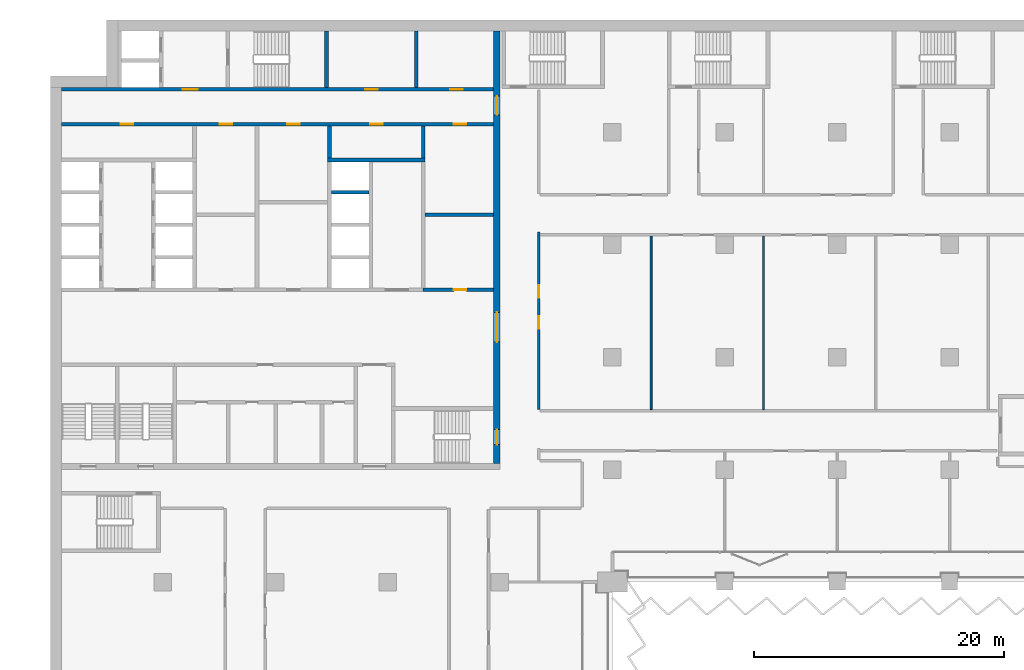
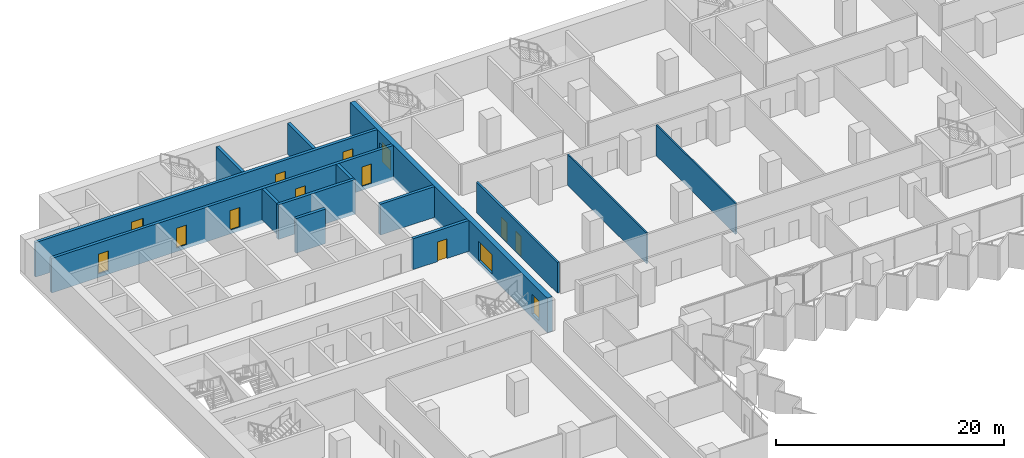
# One storey, part 15 of 28: 14 doors, 14 walls, 14 openings.
"""IFC4 building model written with IfcOpenShell, lengths in metres."""

from ifc_helpers import new_model, si_unit, direction, frame, frame_2d, origin, place, context, subcontext, project, spatial, rectangle, extrude, material, layer, layer_set, type_object, element, fill, save


model = new_model("IFC4")

# Units and contexts
model_context = context("Model", 3, precision=1e-05, world=origin(), true_north=direction((0.0, 1.0)))
body_context = subcontext(model_context, "Body", "Model", "MODEL_VIEW")
ifc_project = project(units=[si_unit("LENGTHUNIT", "METRE"), si_unit("AREAUNIT", "SQUARE_METRE"), si_unit("VOLUMEUNIT", "CUBIC_METRE"), si_unit("PLANEANGLEUNIT", "RADIAN"), si_unit("MASSUNIT", "GRAM", prefix="KILO")], contexts=[model_context])

# Site, building, storey
site_placement = place(None, origin())
site = spatial("IfcSite", under=ifc_project, at=site_placement, CompositionType="ELEMENT")
building_placement = place(site_placement, origin())
building = spatial("IfcBuilding", under=site, at=building_placement, Name="Hunhe Ridgeline Campus", CompositionType="ELEMENT")
storey_placement = place(building_placement, frame((0.0, 0.0, 35.800048828125)))
storey = spatial("IfcBuildingStorey", under=building, at=storey_placement, Name="L07", CompositionType="ELEMENT", Elevation=35.800048828125)

# Wall, opening, door
ifc_material_1 = material(Name="Masonry concrete blockwork", Category="masonry")
ifc_layer_1 = layer(ifc_material_1, 0.300048828125)
ifc_layer_set_1 = layer_set([ifc_layer_1], Name="Core room partition 300 concrete block")
wall_type_1 = type_object("IfcWallType", Name="Core room partition 300 concrete block", PredefinedType="PARTITIONING", material=ifc_layer_set_1)
wall_1_placement = place(storey_placement, frame((29.85009765625, 77.39990234375, 0.0), z_axis=(0.0, 0.0, 1.0), x_axis=(1.0, 0.0, 0.0)))
wall_1 = element("IfcWall", 1, at=wall_1_placement, inside=storey, type_object=wall_type_1, Name="L07 core partition 15", PredefinedType="PARTITIONING", context=body_context, shape_type="SweptSolid", body=[
    extrude(rectangle(XDim=5.64990234375, YDim=0.300048828125, at=frame_2d((2.824951171875, 0.0))), origin(), (0.0, 0.0, 1.0), 3.300048828125),
])
opening_1_placement = place(wall_1_placement, frame((2.449951171875, 0.0, 0.0)))
opening_1 = element("IfcOpeningElement", 2, at=opening_1_placement, cuts=wall_1, Name="Opening CD32", PredefinedType="OPENING", context=body_context, shape_type="SweptSolid", body=[
    extrude(rectangle(XDim=1.0, YDim=2.10009765625, at=frame_2d((0.5, 1.050048828125))), frame((0.0, 0.14990234375, 0.0), z_axis=(0.0, -1.0, 0.0), x_axis=(1.0, 0.0, 0.0)), (0.0, 0.0, 1.0), 0.300048828125),
])
ifc_material_2 = material(Name="Solid core timber door leaf", Category="wood")
door_type_1 = type_object("IfcDoorType", Name="Timber door 1000x2100", OperationType="SINGLE_SWING_LEFT", PredefinedType="DOOR", material=ifc_material_2)
door_1_placement = place(opening_1_placement, origin())
door_1 = element("IfcDoor", 3, at=door_1_placement, inside=storey, type_object=door_type_1, Name="L07 door ES0", OperationType="SINGLE_SWING_RIGHT", OverallHeight=2.10009765625, OverallWidth=1.0, PredefinedType="DOOR", context=body_context, shape_type="SweptSolid", body=[
    extrude(rectangle(XDim=1.0, YDim=2.10009765625, at=frame_2d((0.5, 1.050048828125))), frame((0.0, 0.02490234375, 0.0), z_axis=(0.0, -1.0, 0.0), x_axis=(1.0, 0.0, 0.0)), (0.0, 0.0, 1.0), 0.050048828125),
])
fill(opening_1, door_1)

# Walls
wall_2_placement = place(storey_placement, frame((30.0, 83.39990234375, 0.0), z_axis=(0.0, 0.0, 1.0), x_axis=(1.0, 0.0, 0.0)))
element("IfcWall", 4, at=wall_2_placement, inside=storey, type_object=wall_type_1, Name="L07 core partition 23", PredefinedType="PARTITIONING", context=body_context, shape_type="SweptSolid", body=[
    extrude(rectangle(XDim=5.5, YDim=0.300048828125, at=frame_2d((2.75, 0.0))), origin(), (0.0, 0.0, 1.0), 3.300048828125),
])
wall_3_placement = place(storey_placement, frame((22.35009765625, 87.949951171875, 0.0), z_axis=(0.0, 0.0, 1.0), x_axis=(0.0, 1.0, 0.0)))
element("IfcWall", 5, at=wall_3_placement, inside=storey, type_object=wall_type_1, Name="L07 core partition 55", PredefinedType="PARTITIONING", context=body_context, shape_type="SweptSolid", body=[
    extrude(rectangle(XDim=2.550048828125, YDim=0.300048828125, at=frame_2d((1.27490234375, 0.0))), origin(), (0.0, 0.0, 1.0), 3.300048828125),
])
wall_4_placement = place(storey_placement, frame((29.300048828125, 93.60009765625, 0.0), z_axis=(0.0, 0.0, 1.0), x_axis=(0.0, 1.0, 0.0)))
element("IfcWall", 6, at=wall_4_placement, inside=storey, type_object=wall_type_1, Name="L07 core partition 61", PredefinedType="PARTITIONING", context=body_context, shape_type="SweptSolid", body=[
    extrude(rectangle(XDim=4.5, YDim=0.300048828125, at=frame_2d((2.25, 0.0))), origin(), (0.0, 0.0, 1.0), 3.300048828125),
])
wall_5_placement = place(storey_placement, frame((29.85009765625, 87.949951171875, 0.0), z_axis=(0.0, 0.0, 1.0), x_axis=(0.0, 1.0, 0.0)))
element("IfcWall", 7, at=wall_5_placement, inside=storey, type_object=wall_type_1, Name="L07 core partition 63", PredefinedType="PARTITIONING", context=body_context, shape_type="SweptSolid", body=[
    extrude(rectangle(XDim=2.550048828125, YDim=0.300048828125, at=frame_2d((1.27490234375, 0.0))), origin(), (0.0, 0.0, 1.0), 3.300048828125),
])

# Wall, openings, doors
ifc_material_3 = material(Name="Concrete C80", Category="concrete")
ifc_layer_2 = layer(ifc_material_3, 0.5)
ifc_layer_set_2 = layer_set([ifc_layer_2], Name="Core wall 500 reinforced concrete C80")
wall_type_2 = type_object("IfcWallType", Name="Core wall 500 reinforced concrete C80", PredefinedType="SOLIDWALL", material=ifc_layer_set_2)
wall_6_placement = place(storey_placement, frame((35.75, 63.5, -0.400146484375), z_axis=(0.0, 0.0, 1.0), x_axis=(0.0, 1.0, 0.0)))
wall_6 = element("IfcWall", 8, at=wall_6_placement, inside=storey, type_object=wall_type_2, Name="L07 core wall 64", PredefinedType="SOLIDWALL", context=body_context, shape_type="SweptSolid", body=[
    extrude(rectangle(XDim=34.60009765625, YDim=0.5, at=frame_2d((17.300048828125, 0.0))), origin(), (0.0, 0.0, 1.0), 3.7001953125),
])
opening_2_placement = place(wall_6_placement, frame((9.699951171875, 0.0, 0.39990234375)))
opening_2 = element("IfcOpeningElement", 9, at=opening_2_placement, cuts=wall_6, Name="Opening CD4", PredefinedType="OPENING", context=body_context, shape_type="SweptSolid", body=[
    extrude(rectangle(XDim=2.39990234375, YDim=2.10009765625, at=frame_2d((1.199951171875, 1.050048828125))), frame((0.0, 0.25, 0.0), z_axis=(0.0, -1.0, 0.0), x_axis=(1.0, 0.0, 0.0)), (0.0, 0.0, 1.0), 0.5),
])
opening_3_placement = place(wall_6_placement, frame((27.89990234375, 0.0, 0.39990234375)))
opening_3 = element("IfcOpeningElement", 10, at=opening_3_placement, cuts=wall_6, Name="Opening CD5", PredefinedType="OPENING", context=body_context, shape_type="SweptSolid", body=[
    extrude(rectangle(XDim=1.5, YDim=2.10009765625, at=frame_2d((0.75, 1.050048828125))), frame((0.0, 0.25, 0.0), z_axis=(0.0, -1.0, 0.0), x_axis=(1.0, 0.0, 0.0)), (0.0, 0.0, 1.0), 0.5),
])
opening_4_placement = place(wall_6_placement, frame((1.5, 0.0, 0.39990234375)))
opening_4 = element("IfcOpeningElement", 11, at=opening_4_placement, cuts=wall_6, Name="Opening CD15", PredefinedType="OPENING", context=body_context, shape_type="SweptSolid", body=[
    extrude(rectangle(XDim=1.199951171875, YDim=2.10009765625, at=frame_2d((0.60009765625, 1.050048828125))), frame((0.0, 0.25, 0.0), z_axis=(0.0, -1.0, 0.0), x_axis=(1.0, 0.0, 0.0)), (0.0, 0.0, 1.0), 0.5),
])
ifc_material_4 = material(Name="Anodised aluminium and glass", Category="aluminium")
door_type_2 = type_object("IfcDoorType", Name="Glazed double door 2400x2100", OperationType="DOUBLE_DOOR_SINGLE_SWING", PredefinedType="DOOR", material=ifc_material_4)
door_2_placement = place(opening_2_placement, frame((2.39990234375, 0.0, 0.0), z_axis=(0.0, 0.0, 1.0), x_axis=(-1.0, 0.0, 0.0)))
door_2 = element("IfcDoor", 12, at=door_2_placement, inside=storey, type_object=door_type_2, Name="L07 door HALL-FLOOR", OperationType="DOUBLE_DOOR_SINGLE_SWING", OverallHeight=2.10009765625, OverallWidth=2.39990234375, PredefinedType="DOOR", context=body_context, shape_type="SweptSolid", body=[
    extrude(rectangle(XDim=2.39990234375, YDim=2.10009765625, at=frame_2d((1.199951171875, 1.050048828125))), frame((0.0, 0.02490234375, 0.0), z_axis=(0.0, -1.0, 0.0), x_axis=(1.0, 0.0, 0.0)), (0.0, 0.0, 1.0), 0.050048828125),
])
fill(opening_2, door_2)
ifc_material_5 = material(Name="Hollow metal fire door leaf")
door_type_3 = type_object("IfcDoorType", Name="Stair door 1200x2100 FD60", OperationType="SINGLE_SWING_LEFT", PredefinedType="DOOR", material=ifc_material_5)
door_3_placement = place(opening_4_placement, frame((1.199951171875, 0.0, 0.0), z_axis=(0.0, 0.0, 1.0), x_axis=(-1.0, 0.0, 0.0)))
door_3 = element("IfcDoor", 13, at=door_3_placement, inside=storey, type_object=door_type_3, Name="L07 door S2-FLOOR", OperationType="SINGLE_SWING_RIGHT", OverallHeight=2.10009765625, OverallWidth=1.199951171875, PredefinedType="DOOR", context=body_context, shape_type="SweptSolid", body=[
    extrude(rectangle(XDim=1.199951171875, YDim=2.10009765625, at=frame_2d((0.60009765625, 1.050048828125))), frame((0.0, 0.02490234375, 0.0), z_axis=(0.0, -1.0, 0.0), x_axis=(1.0, 0.0, 0.0)), (0.0, 0.0, 1.0), 0.050048828125),
])
fill(opening_4, door_3)
door_type_4 = type_object("IfcDoorType", Name="Timber door 1500x2100", OperationType="SINGLE_SWING_LEFT", PredefinedType="DOOR", material=ifc_material_2)
door_4_placement = place(opening_3_placement, frame((1.5, 0.0, 0.0), z_axis=(0.0, 0.0, 1.0), x_axis=(-1.0, 0.0, 0.0)))
door_4 = element("IfcDoor", 14, at=door_4_placement, inside=storey, type_object=door_type_4, Name="L07 door C1-FLOOR", OperationType="SINGLE_SWING_RIGHT", OverallHeight=2.10009765625, OverallWidth=1.5, PredefinedType="DOOR", context=body_context, shape_type="SweptSolid", body=[
    extrude(rectangle(XDim=1.5, YDim=2.10009765625, at=frame_2d((0.75, 1.050048828125))), frame((0.0, 0.02490234375, 0.0), z_axis=(0.0, -1.0, 0.0), x_axis=(1.0, 0.0, 0.0)), (0.0, 0.0, 1.0), 0.050048828125),
])
fill(opening_3, door_4)

ifc_material_6 = material(Name="Gypsum board partition")
ifc_layer_3 = layer(ifc_material_6, 0.199951171875)
ifc_layer_set_3 = layer_set([ifc_layer_3], Name="Corridor partition 200 gypsum board on steel studs")
wall_type_3 = type_object("IfcWallType", Name="Corridor partition 200 gypsum board on steel studs", PredefinedType="PARTITIONING", material=ifc_layer_set_3)
wall_7_placement = place(storey_placement, frame((39.10009765625, 82.012451171875, 0.0), z_axis=(0.0, 0.0, 1.0), x_axis=(0.0, -1.0, 0.0)))
wall_7 = element("IfcWall", 15, at=wall_7_placement, inside=storey, type_object=wall_type_3, Name="F-L07-wall-055", PredefinedType="PARTITIONING", context=body_context, shape_type="SweptSolid", body=[
    extrude(rectangle(XDim=14.21240234375, YDim=0.199951171875, at=frame_2d((7.106201171875, 0.0))), origin(), (0.0, 0.0, 1.0), 3.300048828125),
])
opening_5_placement = place(wall_7_placement, frame((6.733154296875, 0.0, 0.0)))
opening_5 = element("IfcOpeningElement", 16, at=opening_5_placement, cuts=wall_7, Name="Opening RD1-032", PredefinedType="OPENING", context=body_context, shape_type="SweptSolid", body=[
    extrude(rectangle(XDim=1.0, YDim=2.10009765625, at=frame_2d((0.5, 1.050048828125))), frame((0.0, 0.10009765625, 0.0), z_axis=(0.0, -1.0, 0.0), x_axis=(1.0, 0.0, 0.0)), (0.0, 0.0, 1.0), 0.199951171875),
])
opening_6_placement = place(wall_7_placement, frame((4.233154296875, 0.0, 0.0)))
opening_6 = element("IfcOpeningElement", 17, at=opening_6_placement, cuts=wall_7, Name="Opening RD1-035", PredefinedType="OPENING", context=body_context, shape_type="SweptSolid", body=[
    extrude(rectangle(XDim=1.0, YDim=2.10009765625, at=frame_2d((0.5, 1.050048828125))), frame((0.0, 0.10009765625, 0.0), z_axis=(0.0, -1.0, 0.0), x_axis=(1.0, 0.0, 0.0)), (0.0, 0.0, 1.0), 0.199951171875),
])
ifc_material_7 = material(Name="Timber door leaf", Category="wood")
door_type_5 = type_object("IfcDoorType", Name="Single fire door 1000x2100 timber FD60", OperationType="NOTDEFINED", PredefinedType="DOOR", material=ifc_material_7)
door_5_placement = place(opening_5_placement, frame((1.0, 0.0, 0.0), z_axis=(0.0, 0.0, 1.0), x_axis=(-1.0, 0.0, 0.0)))
door_5 = element("IfcDoor", 18, at=door_5_placement, inside=storey, type_object=door_type_5, Name="F-L07-door-032", OperationType="SINGLE_SWING_LEFT", OverallHeight=2.10009765625, OverallWidth=1.0, PredefinedType="DOOR", context=body_context, shape_type="SweptSolid", body=[
    extrude(rectangle(XDim=1.0, YDim=2.10009765625, at=frame_2d((0.5, 1.050048828125))), frame((0.0, 0.02490234375, 0.0), z_axis=(0.0, -1.0, 0.0), x_axis=(1.0, 0.0, 0.0)), (0.0, 0.0, 1.0), 0.050048828125),
])
fill(opening_5, door_5)
door_6_placement = place(opening_6_placement, frame((1.0, 0.0, 0.0), z_axis=(0.0, 0.0, 1.0), x_axis=(-1.0, 0.0, 0.0)))
door_6 = element("IfcDoor", 19, at=door_6_placement, inside=storey, type_object=door_type_5, Name="F-L07-door-035", OperationType="SINGLE_SWING_RIGHT", OverallHeight=2.10009765625, OverallWidth=1.0, PredefinedType="DOOR", context=body_context, shape_type="SweptSolid", body=[
    extrude(rectangle(XDim=1.0, YDim=2.10009765625, at=frame_2d((0.5, 1.050048828125))), frame((0.0, 0.02490234375, 0.0), z_axis=(0.0, -1.0, 0.0), x_axis=(1.0, 0.0, 0.0)), (0.0, 0.0, 1.0), 0.050048828125),
])
fill(opening_6, door_6)

ifc_layer_4 = layer(ifc_material_3, 0.300048828125)
ifc_layer_set_4 = layer_set([ifc_layer_4], Name="Lobby wall 300 reinforced concrete C80")
wall_type_4 = type_object("IfcWallType", Name="Lobby wall 300 reinforced concrete C80", PredefinedType="SOLIDWALL", material=ifc_layer_set_4)
wall_8_placement = place(storey_placement, frame((0.89990234375, 90.64990234375, -0.400146484375), z_axis=(0.0, 0.0, 1.0), x_axis=(1.0, 0.0, 0.0)))
wall_8 = element("IfcWall", 20, at=wall_8_placement, inside=storey, type_object=wall_type_4, Name="L07 core wall 30", PredefinedType="SOLIDWALL", context=body_context, shape_type="SweptSolid", body=[
    extrude(rectangle(XDim=34.60009765625, YDim=0.300048828125, at=frame_2d((17.300048828125, 0.0))), origin(), (0.0, 0.0, 1.0), 3.7001953125),
])
opening_7_placement = place(wall_8_placement, frame((4.75, 0.0, 0.39990234375)))
opening_7 = element("IfcOpeningElement", 21, at=opening_7_placement, cuts=wall_8, Name="Opening CD26", PredefinedType="OPENING", context=body_context, shape_type="SweptSolid", body=[
    extrude(rectangle(XDim=1.0, YDim=2.10009765625, at=frame_2d((0.5, 1.050048828125))), frame((0.0, 0.14990234375, 0.0), z_axis=(0.0, -1.0, 0.0), x_axis=(1.0, 0.0, 0.0)), (0.0, 0.0, 1.0), 0.300048828125),
])
opening_8_placement = place(wall_8_placement, frame((24.699951171875, 0.0, 0.39990234375)))
opening_8 = element("IfcOpeningElement", 22, at=opening_8_placement, cuts=wall_8, Name="Opening CD27", PredefinedType="OPENING", context=body_context, shape_type="SweptSolid", body=[
    extrude(rectangle(XDim=1.0, YDim=2.10009765625, at=frame_2d((0.5, 1.050048828125))), frame((0.0, 0.14990234375, 0.0), z_axis=(0.0, -1.0, 0.0), x_axis=(1.0, 0.0, 0.0)), (0.0, 0.0, 1.0), 0.300048828125),
])
opening_9_placement = place(wall_8_placement, frame((12.64990234375, 0.0, 0.39990234375)))
opening_9 = element("IfcOpeningElement", 23, at=opening_9_placement, cuts=wall_8, Name="Opening CD29", PredefinedType="OPENING", context=body_context, shape_type="SweptSolid", body=[
    extrude(rectangle(XDim=1.0, YDim=2.10009765625, at=frame_2d((0.5, 1.050048828125))), frame((0.0, 0.14990234375, 0.0), z_axis=(0.0, -1.0, 0.0), x_axis=(1.0, 0.0, 0.0)), (0.0, 0.0, 1.0), 0.300048828125),
])
opening_10_placement = place(wall_8_placement, frame((18.050048828125, 0.0, 0.39990234375)))
opening_10 = element("IfcOpeningElement", 24, at=opening_10_placement, cuts=wall_8, Name="Opening CD31", PredefinedType="OPENING", context=body_context, shape_type="SweptSolid", body=[
    extrude(rectangle(XDim=1.0, YDim=2.10009765625, at=frame_2d((0.5, 1.050048828125))), frame((0.0, 0.14990234375, 0.0), z_axis=(0.0, -1.0, 0.0), x_axis=(1.0, 0.0, 0.0)), (0.0, 0.0, 1.0), 0.300048828125),
])
opening_11_placement = place(wall_8_placement, frame((31.39990234375, 0.0, 0.39990234375)))
opening_11 = element("IfcOpeningElement", 25, at=opening_11_placement, cuts=wall_8, Name="Opening CD33", PredefinedType="OPENING", context=body_context, shape_type="SweptSolid", body=[
    extrude(rectangle(XDim=1.0, YDim=2.10009765625, at=frame_2d((0.5, 1.050048828125))), frame((0.0, 0.14990234375, 0.0), z_axis=(0.0, -1.0, 0.0), x_axis=(1.0, 0.0, 0.0)), (0.0, 0.0, 1.0), 0.300048828125),
])
door_7_placement = place(opening_7_placement, frame((1.0, 0.0, 0.0), z_axis=(0.0, 0.0, 1.0), x_axis=(-1.0, 0.0, 0.0)))
door_7 = element("IfcDoor", 26, at=door_7_placement, inside=storey, type_object=door_type_1, Name="L07 door NR-0", OperationType="SINGLE_SWING_RIGHT", OverallHeight=2.10009765625, OverallWidth=1.0, PredefinedType="DOOR", context=body_context, shape_type="SweptSolid", body=[
    extrude(rectangle(XDim=1.0, YDim=2.10009765625, at=frame_2d((0.5, 1.050048828125))), frame((0.0, 0.02490234375, 0.0), z_axis=(0.0, -1.0, 0.0), x_axis=(1.0, 0.0, 0.0)), (0.0, 0.0, 1.0), 0.050048828125),
])
fill(opening_7, door_7)
door_8_placement = place(opening_8_placement, frame((1.0, 0.0, 0.0), z_axis=(0.0, 0.0, 1.0), x_axis=(-1.0, 0.0, 0.0)))
door_8 = element("IfcDoor", 27, at=door_8_placement, inside=storey, type_object=door_type_1, Name="L07 door NR-1", OperationType="SINGLE_SWING_LEFT", OverallHeight=2.10009765625, OverallWidth=1.0, PredefinedType="DOOR", context=body_context, shape_type="SweptSolid", body=[
    extrude(rectangle(XDim=1.0, YDim=2.10009765625, at=frame_2d((0.5, 1.050048828125))), frame((0.0, 0.02490234375, 0.0), z_axis=(0.0, -1.0, 0.0), x_axis=(1.0, 0.0, 0.0)), (0.0, 0.0, 1.0), 0.050048828125),
])
fill(opening_8, door_8)
door_9_placement = place(opening_9_placement, frame((1.0, 0.0, 0.0), z_axis=(0.0, 0.0, 1.0), x_axis=(-1.0, 0.0, 0.0)))
door_9 = element("IfcDoor", 28, at=door_9_placement, inside=storey, type_object=door_type_1, Name="L07 door VD-HR1", OperationType="SINGLE_SWING_LEFT", OverallHeight=2.10009765625, OverallWidth=1.0, PredefinedType="DOOR", context=body_context, shape_type="SweptSolid", body=[
    extrude(rectangle(XDim=1.0, YDim=2.10009765625, at=frame_2d((0.5, 1.050048828125))), frame((0.0, 0.02490234375, 0.0), z_axis=(0.0, -1.0, 0.0), x_axis=(1.0, 0.0, 0.0)), (0.0, 0.0, 1.0), 0.050048828125),
])
fill(opening_9, door_9)
door_10_placement = place(opening_10_placement, frame((1.0, 0.0, 0.0), z_axis=(0.0, 0.0, 1.0), x_axis=(-1.0, 0.0, 0.0)))
door_10 = element("IfcDoor", 29, at=door_10_placement, inside=storey, type_object=door_type_1, Name="L07 door VD-HR3", OperationType="SINGLE_SWING_LEFT", OverallHeight=2.10009765625, OverallWidth=1.0, PredefinedType="DOOR", context=body_context, shape_type="SweptSolid", body=[
    extrude(rectangle(XDim=1.0, YDim=2.10009765625, at=frame_2d((0.5, 1.050048828125))), frame((0.0, 0.02490234375, 0.0), z_axis=(0.0, -1.0, 0.0), x_axis=(1.0, 0.0, 0.0)), (0.0, 0.0, 1.0), 0.050048828125),
])
fill(opening_10, door_10)
door_11_placement = place(opening_11_placement, frame((1.0, 0.0, 0.0), z_axis=(0.0, 0.0, 1.0), x_axis=(-1.0, 0.0, 0.0)))
door_11 = element("IfcDoor", 30, at=door_11_placement, inside=storey, type_object=door_type_1, Name="L07 door ES1", OperationType="SINGLE_SWING_RIGHT", OverallHeight=2.10009765625, OverallWidth=1.0, PredefinedType="DOOR", context=body_context, shape_type="SweptSolid", body=[
    extrude(rectangle(XDim=1.0, YDim=2.10009765625, at=frame_2d((0.5, 1.050048828125))), frame((0.0, 0.02490234375, 0.0), z_axis=(0.0, -1.0, 0.0), x_axis=(1.0, 0.0, 0.0)), (0.0, 0.0, 1.0), 0.050048828125),
])
fill(opening_11, door_11)

# Walls
ifc_layer_5 = layer(ifc_material_6, 0.14990234375)
ifc_layer_set_5 = layer_set([ifc_layer_5], Name="Room partition 150 gypsum board on steel studs")
wall_type_5 = type_object("IfcWallType", Name="Room partition 150 gypsum board on steel studs", PredefinedType="PARTITIONING", material=ifc_layer_set_5)
for number, where, z_axis, x_axis, name in (
    (31, (48.10009765625, 81.699951171875, 0.0), (0.0, 0.0, 1.0), (0.0, -1.0, 0.0), "F-L07-wall-058"),
    (32, (57.10009765625, 81.699951171875, 0.0), (0.0, 0.0, 1.0), (0.0, -1.0, 0.0), "F-L07-wall-063"),
):
    element("IfcWall", number, at=place(storey_placement, frame(where, z_axis=z_axis, x_axis=x_axis)), inside=storey, type_object=wall_type_5, Name=name, PredefinedType="PARTITIONING", context=body_context, shape_type="SweptSolid", body=[
        extrude(rectangle(XDim=13.89990234375, YDim=0.14990234375, at=frame_2d((6.949951171875, 0.0))), origin(), (0.0, 0.0, 1.0), 3.300048828125),
    ])
ifc_layer_6 = layer(ifc_material_3, 0.300048828125)
ifc_layer_set_6 = layer_set([ifc_layer_6], Name="Shaft wall 300 reinforced concrete C80")
wall_type_6 = type_object("IfcWallType", Name="Shaft wall 300 reinforced concrete C80", PredefinedType="SOLIDWALL", material=ifc_layer_set_6)
wall_9_placement = place(storey_placement, frame((22.5, 85.199951171875, -0.400146484375), z_axis=(0.0, 0.0, 1.0), x_axis=(1.0, 0.0, 0.0)))
element("IfcWall", 33, at=wall_9_placement, inside=storey, type_object=wall_type_6, Name="L07 core wall 27", PredefinedType="SOLIDWALL", context=body_context, shape_type="SweptSolid", body=[
    extrude(rectangle(XDim=3.0, YDim=0.300048828125, at=frame_2d((1.5, 0.0))), origin(), (0.0, 0.0, 1.0), 3.7001953125),
])
wall_10_placement = place(storey_placement, frame((22.199951171875, 87.800048828125, -0.400146484375), z_axis=(0.0, 0.0, 1.0), x_axis=(1.0, 0.0, 0.0)))
element("IfcWall", 34, at=wall_10_placement, inside=storey, type_object=wall_type_6, Name="L07 core wall 29", PredefinedType="SOLIDWALL", context=body_context, shape_type="SweptSolid", body=[
    extrude(rectangle(XDim=7.800048828125, YDim=0.300048828125, at=frame_2d((3.89990234375, 0.0))), origin(), (0.0, 0.0, 1.0), 3.7001953125),
])

# Wall, openings, doors
wall_11_placement = place(storey_placement, frame((0.89990234375, 93.449951171875, -0.400146484375), z_axis=(0.0, 0.0, 1.0), x_axis=(1.0, 0.0, 0.0)))
wall_11 = element("IfcWall", 35, at=wall_11_placement, inside=storey, type_object=wall_type_6, Name="L07 core wall 31", PredefinedType="SOLIDWALL", context=body_context, shape_type="SweptSolid", body=[
    extrude(rectangle(XDim=34.60009765625, YDim=0.300048828125, at=frame_2d((17.300048828125, 0.0))), origin(), (0.0, 0.0, 1.0), 3.7001953125),
])
opening_12_placement = place(wall_11_placement, frame((9.699951171875, 0.0, 0.39990234375)))
opening_12 = element("IfcOpeningElement", 36, at=opening_12_placement, cuts=wall_11, Name="Opening CD3", PredefinedType="OPENING", context=body_context, shape_type="SweptSolid", body=[
    extrude(rectangle(XDim=1.199951171875, YDim=2.10009765625, at=frame_2d((0.60009765625, 1.050048828125))), frame((0.0, 0.14990234375, 0.0), z_axis=(0.0, -1.0, 0.0), x_axis=(1.0, 0.0, 0.0)), (0.0, 0.0, 1.0), 0.300048828125),
])
opening_13_placement = place(wall_11_placement, frame((24.300048828125, 0.0, 0.39990234375)))
opening_13 = element("IfcOpeningElement", 37, at=opening_13_placement, cuts=wall_11, Name="Opening CD34", PredefinedType="OPENING", context=body_context, shape_type="SweptSolid", body=[
    extrude(rectangle(XDim=1.0, YDim=2.10009765625, at=frame_2d((0.5, 1.050048828125))), frame((0.0, 0.14990234375, 0.0), z_axis=(0.0, -1.0, 0.0), x_axis=(1.0, 0.0, 0.0)), (0.0, 0.0, 1.0), 0.300048828125),
])
opening_14_placement = place(wall_11_placement, frame((31.125, 0.0, 0.39990234375)))
opening_14 = element("IfcOpeningElement", 38, at=opening_14_placement, cuts=wall_11, Name="Opening CD35", PredefinedType="OPENING", context=body_context, shape_type="SweptSolid", body=[
    extrude(rectangle(XDim=1.0, YDim=2.10009765625, at=frame_2d((0.5, 1.050048828125))), frame((0.0, 0.14990234375, 0.0), z_axis=(0.0, -1.0, 0.0), x_axis=(1.0, 0.0, 0.0)), (0.0, 0.0, 1.0), 0.300048828125),
])
door_type_6 = type_object("IfcDoorType", Name="Lobby door 1200x2100 FD60", OperationType="SINGLE_SWING_LEFT", PredefinedType="DOOR", material=ifc_material_5)
door_12_placement = place(opening_12_placement, frame((1.199951171875, 0.0, 0.0), z_axis=(0.0, 0.0, 1.0), x_axis=(-1.0, 0.0, 0.0)))
door_12 = element("IfcDoor", 39, at=door_12_placement, inside=storey, type_object=door_type_6, Name="L07 door FF-C1", OperationType="SINGLE_SWING_LEFT", OverallHeight=2.10009765625, OverallWidth=1.199951171875, PredefinedType="DOOR", context=body_context, shape_type="SweptSolid", body=[
    extrude(rectangle(XDim=1.199951171875, YDim=2.10009765625, at=frame_2d((0.60009765625, 1.050048828125))), frame((0.0, 0.02490234375, 0.0), z_axis=(0.0, -1.0, 0.0), x_axis=(1.0, 0.0, 0.0)), (0.0, 0.0, 1.0), 0.050048828125),
])
fill(opening_12, door_12)
door_13_placement = place(opening_13_placement, origin())
door_13 = element("IfcDoor", 40, at=door_13_placement, inside=storey, type_object=door_type_1, Name="L07 door NB0", OperationType="SINGLE_SWING_RIGHT", OverallHeight=2.10009765625, OverallWidth=1.0, PredefinedType="DOOR", context=body_context, shape_type="SweptSolid", body=[
    extrude(rectangle(XDim=1.0, YDim=2.10009765625, at=frame_2d((0.5, 1.050048828125))), frame((0.0, 0.02490234375, 0.0), z_axis=(0.0, -1.0, 0.0), x_axis=(1.0, 0.0, 0.0)), (0.0, 0.0, 1.0), 0.050048828125),
])
fill(opening_13, door_13)
door_14_placement = place(opening_14_placement, origin())
door_14 = element("IfcDoor", 41, at=door_14_placement, inside=storey, type_object=door_type_1, Name="L07 door NB1", OperationType="SINGLE_SWING_LEFT", OverallHeight=2.10009765625, OverallWidth=1.0, PredefinedType="DOOR", context=body_context, shape_type="SweptSolid", body=[
    extrude(rectangle(XDim=1.0, YDim=2.10009765625, at=frame_2d((0.5, 1.050048828125))), frame((0.0, 0.02490234375, 0.0), z_axis=(0.0, -1.0, 0.0), x_axis=(1.0, 0.0, 0.0)), (0.0, 0.0, 1.0), 0.050048828125),
])
fill(opening_14, door_14)

# Wall
ifc_layer_7 = layer(ifc_material_3, 0.300048828125)
ifc_layer_set_7 = layer_set([ifc_layer_7], Name="Stair wall 300 reinforced concrete C80")
wall_type_7 = type_object("IfcWallType", Name="Stair wall 300 reinforced concrete C80", PredefinedType="SOLIDWALL", material=ifc_layer_set_7)
wall_12_placement = place(storey_placement, frame((22.10009765625, 93.60009765625, -0.400146484375), z_axis=(0.0, 0.0, 1.0), x_axis=(0.0, 1.0, 0.0)))
element("IfcWall", 42, at=wall_12_placement, inside=storey, type_object=wall_type_7, Name="L07 core wall 53", PredefinedType="SOLIDWALL", context=body_context, shape_type="SweptSolid", body=[
    extrude(rectangle(XDim=4.5, YDim=0.300048828125, at=frame_2d((2.25, 0.0))), origin(), (0.0, 0.0, 1.0), 3.7001953125),
])

save(model, "model.ifc")
